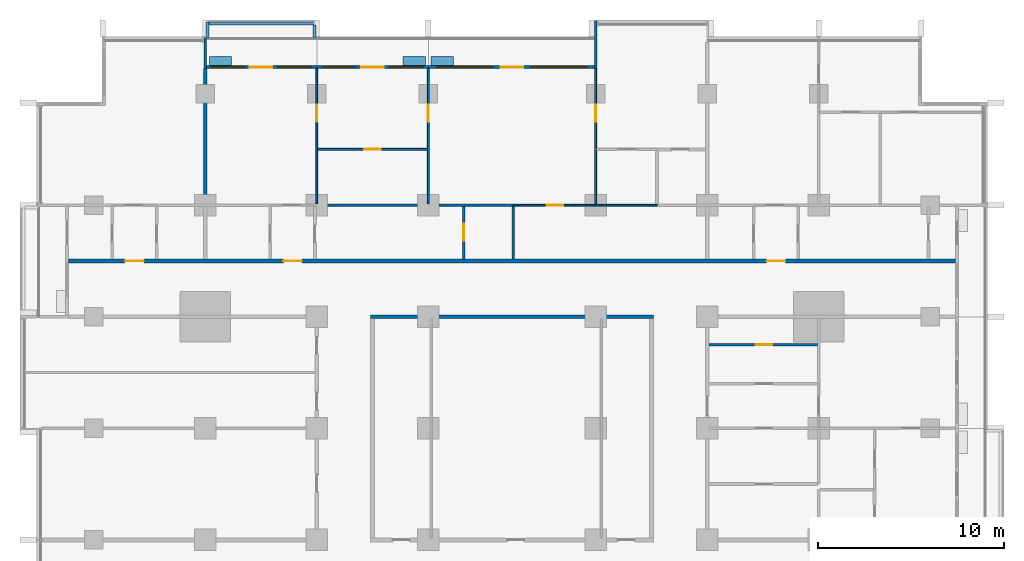
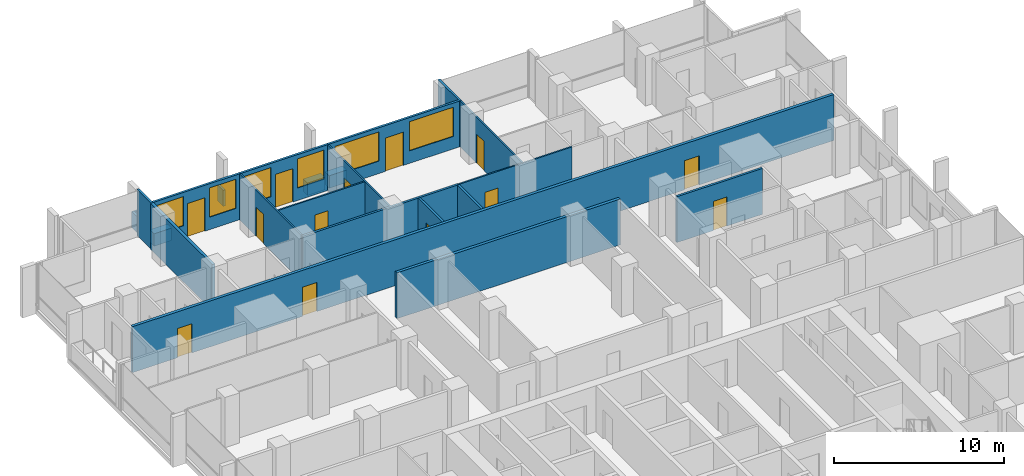
# One storey, part 11 of 17: 23 walls, 13 doors, 6 windows, 19 openings.
"""IFC4 building model written with IfcOpenShell, lengths in metres."""

from ifc_helpers import new_model, si_unit, direction, frame, frame_2d, origin, place, context, subcontext, project, spatial, rectangle, extrude, material, layer, layer_set, type_object, element, fill, save


model = new_model("IFC4")

# Units and contexts
model_context = context("Model", 3, precision=1e-05, world=origin(), true_north=direction((0.0, 1.0)))
body_context = subcontext(model_context, "Body", "Model", "MODEL_VIEW")
ifc_project = project(units=[si_unit("LENGTHUNIT", "METRE"), si_unit("AREAUNIT", "SQUARE_METRE"), si_unit("VOLUMEUNIT", "CUBIC_METRE"), si_unit("PLANEANGLEUNIT", "RADIAN"), si_unit("MASSUNIT", "GRAM", prefix="KILO")], contexts=[model_context])

# Site, building, storey
site_placement = place(None, origin())
site = spatial("IfcSite", under=ifc_project, at=site_placement, CompositionType="ELEMENT")
building_placement = place(site_placement, origin())
building = spatial("IfcBuilding", under=site, at=building_placement, Name="Finial Court Residences", CompositionType="ELEMENT")
storey_placement = place(building_placement, frame((0.0, 0.0, 95.5)))
storey = spatial("IfcBuildingStorey", under=building, at=storey_placement, Name="L23", CompositionType="ELEMENT", Elevation=95.5)

# Walls
ifc_material_1 = material(Name="Gypsum board")
ifc_layer_1 = layer(ifc_material_1, 0.02490234375)
ifc_material_2 = material(Name="Acoustic mineral wool in double frame")
ifc_layer_2 = layer(ifc_material_2, 0.14990234375)
ifc_layer_3 = layer(ifc_material_1, 0.02490234375)
ifc_layer_set_1 = layer_set([ifc_layer_1, ifc_layer_2, ifc_layer_3], Name="Acoustic party wall 200, 1 hour")
wall_type_1 = type_object("IfcWallType", Name="Acoustic party wall 200, 1 hour", PredefinedType="PARTITIONING", material=ifc_layer_set_1)
wall_1_placement = place(storey_placement, frame((-16.5, 13.574951171875, 0.0), z_axis=(0.0, 0.0, 1.0), x_axis=(0.0, 1.0, 0.0)))
element("IfcWall", 1, at=wall_1_placement, inside=storey, type_object=wall_type_1, Name="Partition L23-043", PredefinedType="PARTITIONING", context=body_context, shape_type="SweptSolid", body=[
    extrude(rectangle(XDim=7.275146484375, YDim=0.199951171875, at=frame_2d((3.6376953125, 0.0))), origin(), (0.0, 0.0, 1.0), 3.300048828125),
])
ifc_layer_4 = layer(ifc_material_1, 0.02490234375)
ifc_layer_5 = layer(ifc_material_2, 0.14990234375)
ifc_layer_6 = layer(ifc_material_1, 0.02490234375)
ifc_layer_set_2 = layer_set([ifc_layer_4, ifc_layer_5, ifc_layer_6], Name="Corridor wall 200, 1 hour")
wall_type_2 = type_object("IfcWallType", Name="Corridor wall 200, 1 hour", PredefinedType="PARTITIONING", material=ifc_layer_set_2)
wall_2_placement = place(storey_placement, frame((-7.60009765625, 7.5, 0.0), z_axis=(0.0, 0.0, 1.0), x_axis=(1.0, 0.0, 0.0)))
element("IfcWall", 2, at=wall_2_placement, inside=storey, type_object=wall_type_2, Name="Partition L23-022", PredefinedType="PARTITIONING", context=body_context, shape_type="SweptSolid", body=[
    extrude(rectangle(XDim=15.2001953125, YDim=0.199951171875, at=frame_2d((7.60009765625, 0.0))), origin(), (0.0, 0.0, 1.0), 3.300048828125),
])

# Wall, openings, doors
wall_3_placement = place(storey_placement, frame((-23.85009765625, 10.5, 0.0), z_axis=(0.0, 0.0, 1.0), x_axis=(1.0, 0.0, 0.0)))
wall_3 = element("IfcWall", 3, at=wall_3_placement, inside=storey, type_object=wall_type_2, Name="Partition L23-024", PredefinedType="PARTITIONING", context=body_context, shape_type="SweptSolid", body=[
    extrude(rectangle(XDim=47.7001953125, YDim=0.199951171875, at=frame_2d((23.85009765625, 0.0))), origin(), (0.0, 0.0, 1.0), 3.300048828125),
])
opening_1_placement = place(wall_3_placement, frame((3.050048828125, 0.0, 0.0)))
opening_1 = element("IfcOpeningElement", 4, at=opening_1_placement, cuts=wall_3, Name="Opening L23-D015", PredefinedType="OPENING", context=body_context, shape_type="SweptSolid", body=[
    extrude(rectangle(XDim=1.0, YDim=2.10009765625, at=frame_2d((0.5, 1.050048828125))), frame((0.0, 0.10986328125, 0.0), z_axis=(0.0, -1.0, 0.0), x_axis=(1.0, 0.0, 0.0)), (0.0, 0.0, 1.0), 0.219970703125),
])
opening_2_placement = place(wall_3_placement, frame((11.550048828125, 0.0, 0.0)))
opening_2 = element("IfcOpeningElement", 5, at=opening_2_placement, cuts=wall_3, Name="Opening L23-D016", PredefinedType="OPENING", context=body_context, shape_type="SweptSolid", body=[
    extrude(rectangle(XDim=1.0, YDim=2.10009765625, at=frame_2d((0.5, 1.050048828125))), frame((0.0, 0.10986328125, 0.0), z_axis=(0.0, -1.0, 0.0), x_axis=(1.0, 0.0, 0.0)), (0.0, 0.0, 1.0), 0.219970703125),
])
opening_3_placement = place(wall_3_placement, frame((37.550048828125, 0.0, 0.0)))
opening_3 = element("IfcOpeningElement", 6, at=opening_3_placement, cuts=wall_3, Name="Opening L23-D017", PredefinedType="OPENING", context=body_context, shape_type="SweptSolid", body=[
    extrude(rectangle(XDim=1.0, YDim=2.10009765625, at=frame_2d((0.5, 1.050048828125))), frame((0.0, 0.10986328125, 0.0), z_axis=(0.0, -1.0, 0.0), x_axis=(1.0, 0.0, 0.0)), (0.0, 0.0, 1.0), 0.219970703125),
])
ifc_material_3 = material(Name="Timber door leaf in hollow metal frame", Category="wood")
door_type_1 = type_object("IfcDoorType", Name="Fire door set 1000 x 2100, 30 minutes", OperationType="SINGLE_SWING_LEFT", PredefinedType="DOOR", material=ifc_material_3)
door_1_placement = place(opening_1_placement, origin())
door_1 = element("IfcDoor", 7, at=door_1_placement, inside=storey, type_object=door_type_1, Name="Door L23-D015", OperationType="SINGLE_SWING_RIGHT", OverallHeight=2.10009765625, OverallWidth=1.0, PredefinedType="DOOR", context=body_context, shape_type="SweptSolid", body=[
    extrude(rectangle(XDim=1.0, YDim=2.10009765625, at=frame_2d((0.5, 1.050048828125))), frame((0.0, 0.02490234375, 0.0), z_axis=(0.0, -1.0, 0.0), x_axis=(1.0, 0.0, 0.0)), (0.0, 0.0, 1.0), 0.050048828125),
])
fill(opening_1, door_1)
door_2_placement = place(opening_2_placement, origin())
door_2 = element("IfcDoor", 8, at=door_2_placement, inside=storey, type_object=door_type_1, Name="Door L23-D016", OperationType="SINGLE_SWING_RIGHT", OverallHeight=2.10009765625, OverallWidth=1.0, PredefinedType="DOOR", context=body_context, shape_type="SweptSolid", body=[
    extrude(rectangle(XDim=1.0, YDim=2.10009765625, at=frame_2d((0.5, 1.050048828125))), frame((0.0, 0.02490234375, 0.0), z_axis=(0.0, -1.0, 0.0), x_axis=(1.0, 0.0, 0.0)), (0.0, 0.0, 1.0), 0.050048828125),
])
fill(opening_2, door_2)
door_3_placement = place(opening_3_placement, origin())
door_3 = element("IfcDoor", 9, at=door_3_placement, inside=storey, type_object=door_type_1, Name="Door L23-D017", OperationType="SINGLE_SWING_LEFT", OverallHeight=2.10009765625, OverallWidth=1.0, PredefinedType="DOOR", context=body_context, shape_type="SweptSolid", body=[
    extrude(rectangle(XDim=1.0, YDim=2.10009765625, at=frame_2d((0.5, 1.050048828125))), frame((0.0, 0.02490234375, 0.0), z_axis=(0.0, -1.0, 0.0), x_axis=(1.0, 0.0, 0.0)), (0.0, 0.0, 1.0), 0.050048828125),
])
fill(opening_3, door_3)

# Wall, opening, door
ifc_layer_7 = layer(ifc_material_1, 0.012451171875)
ifc_material_4 = material(Name="Mineral wool in light-gauge frame")
ifc_layer_8 = layer(ifc_material_4, 0.074951171875)
ifc_layer_9 = layer(ifc_material_1, 0.012451171875)
ifc_layer_set_3 = layer_set([ifc_layer_7, ifc_layer_8, ifc_layer_9], Name="Gypsum board partition 100")
wall_type_3 = type_object("IfcWallType", Name="Gypsum board partition 100", PredefinedType="PARTITIONING", material=ifc_layer_set_3)
wall_4_placement = place(storey_placement, frame((0.06689453125, 13.5, 0.0), z_axis=(0.0, 0.0, 1.0), x_axis=(1.0, 0.0, 0.0)))
wall_4 = element("IfcWall", 10, at=wall_4_placement, inside=storey, type_object=wall_type_3, Name="Partition L23-027", PredefinedType="PARTITIONING", context=body_context, shape_type="SweptSolid", body=[
    extrude(rectangle(XDim=7.733154296875, YDim=0.10009765625, at=frame_2d((3.86669921875, 0.0))), origin(), (0.0, 0.0, 1.0), 3.300048828125),
])
opening_4_placement = place(wall_4_placement, frame((1.800048828125, 0.0, 0.0)))
opening_4 = element("IfcOpeningElement", 11, at=opening_4_placement, cuts=wall_4, Name="Opening L23-D020", PredefinedType="OPENING", context=body_context, shape_type="SweptSolid", body=[
    extrude(rectangle(XDim=0.89990234375, YDim=2.10009765625, at=frame_2d((0.449951171875, 1.050048828125))), frame((0.0, 0.06005859375, 0.0), z_axis=(0.0, -1.0, 0.0), x_axis=(1.0, 0.0, 0.0)), (0.0, 0.0, 1.0), 0.1201171875),
])
ifc_material_5 = material(Name="Timber door leaf in timber frame", Category="wood")
door_type_2 = type_object("IfcDoorType", Name="Door set 900 x 2100", OperationType="SINGLE_SWING_LEFT", PredefinedType="DOOR", material=ifc_material_5)
door_4_placement = place(opening_4_placement, origin())
door_4 = element("IfcDoor", 12, at=door_4_placement, inside=storey, type_object=door_type_2, Name="Door L23-D020", OperationType="SINGLE_SWING_LEFT", OverallHeight=2.10009765625, OverallWidth=0.89990234375, PredefinedType="DOOR", context=body_context, shape_type="SweptSolid", body=[
    extrude(rectangle(XDim=0.89990234375, YDim=2.10009765625, at=frame_2d((0.449951171875, 1.050048828125))), frame((0.0, 0.02490234375, 0.0), z_axis=(0.0, -1.0, 0.0), x_axis=(1.0, 0.0, 0.0)), (0.0, 0.0, 1.0), 0.050048828125),
])
fill(opening_4, door_4)

wall_5_placement = place(storey_placement, frame((-10.449951171875, 16.5, 0.0), z_axis=(0.0, 0.0, 1.0), x_axis=(1.0, 0.0, 0.0)))
wall_5 = element("IfcWall", 13, at=wall_5_placement, inside=storey, type_object=wall_type_3, Name="Partition L23-034", PredefinedType="PARTITIONING", context=body_context, shape_type="SweptSolid", body=[
    extrude(rectangle(XDim=5.89990234375, YDim=0.10009765625, at=frame_2d((2.949951171875, 0.0))), origin(), (0.0, 0.0, 1.0), 3.300048828125),
])
opening_5_placement = place(wall_5_placement, frame((2.5, 0.0, 0.0)))
opening_5 = element("IfcOpeningElement", 14, at=opening_5_placement, cuts=wall_5, Name="Opening L23-D022", PredefinedType="OPENING", context=body_context, shape_type="SweptSolid", body=[
    extrude(rectangle(XDim=0.89990234375, YDim=2.10009765625, at=frame_2d((0.449951171875, 1.050048828125))), frame((0.0, 0.06005859375, 0.0), z_axis=(0.0, -1.0, 0.0), x_axis=(1.0, 0.0, 0.0)), (0.0, 0.0, 1.0), 0.1201171875),
])
door_5_placement = place(opening_5_placement, origin())
door_5 = element("IfcDoor", 15, at=door_5_placement, inside=storey, type_object=door_type_2, Name="Door L23-D022", OperationType="SINGLE_SWING_RIGHT", OverallHeight=2.10009765625, OverallWidth=0.89990234375, PredefinedType="DOOR", context=body_context, shape_type="SweptSolid", body=[
    extrude(rectangle(XDim=0.89990234375, YDim=2.10009765625, at=frame_2d((0.449951171875, 1.050048828125))), frame((0.0, 0.02490234375, 0.0), z_axis=(0.0, -1.0, 0.0), x_axis=(1.0, 0.0, 0.0)), (0.0, 0.0, 1.0), 0.050048828125),
])
fill(opening_5, door_5)

wall_6_placement = place(storey_placement, frame((-10.5, 13.574951171875, 0.0), z_axis=(0.0, 0.0, 1.0), x_axis=(0.0, 1.0, 0.0)))
wall_6 = element("IfcWall", 16, at=wall_6_placement, inside=storey, type_object=wall_type_3, Name="Partition L23-049", PredefinedType="PARTITIONING", context=body_context, shape_type="SweptSolid", body=[
    extrude(rectangle(XDim=7.275146484375, YDim=0.10009765625, at=frame_2d((3.6376953125, 0.0))), origin(), (0.0, 0.0, 1.0), 3.300048828125),
])
opening_6_placement = place(wall_6_placement, frame((4.425048828125, 0.0, 0.0)))
opening_6 = element("IfcOpeningElement", 17, at=opening_6_placement, cuts=wall_6, Name="Opening L23-D036", PredefinedType="OPENING", context=body_context, shape_type="SweptSolid", body=[
    extrude(rectangle(XDim=0.89990234375, YDim=2.10009765625, at=frame_2d((0.449951171875, 1.050048828125))), frame((0.0, 0.06005859375, 0.0), z_axis=(0.0, -1.0, 0.0), x_axis=(1.0, 0.0, 0.0)), (0.0, 0.0, 1.0), 0.1201171875),
])
door_6_placement = place(opening_6_placement, origin())
door_6 = element("IfcDoor", 18, at=door_6_placement, inside=storey, type_object=door_type_2, Name="Door L23-D036", OperationType="SINGLE_SWING_RIGHT", OverallHeight=2.10009765625, OverallWidth=0.89990234375, PredefinedType="DOOR", context=body_context, shape_type="SweptSolid", body=[
    extrude(rectangle(XDim=0.89990234375, YDim=2.10009765625, at=frame_2d((0.449951171875, 1.050048828125))), frame((0.0, 0.02490234375, 0.0), z_axis=(0.0, -1.0, 0.0), x_axis=(1.0, 0.0, 0.0)), (0.0, 0.0, 1.0), 0.050048828125),
])
fill(opening_6, door_6)

wall_7_placement = place(storey_placement, frame((-4.5, 13.574951171875, 0.0), z_axis=(0.0, 0.0, 1.0), x_axis=(0.0, 1.0, 0.0)))
wall_7 = element("IfcWall", 19, at=wall_7_placement, inside=storey, type_object=wall_type_3, Name="Partition L23-051", PredefinedType="PARTITIONING", context=body_context, shape_type="SweptSolid", body=[
    extrude(rectangle(XDim=7.275146484375, YDim=0.10009765625, at=frame_2d((3.6376953125, 0.0))), origin(), (0.0, 0.0, 1.0), 3.300048828125),
])
opening_7_placement = place(wall_7_placement, frame((4.425048828125, 0.0, 0.0)))
opening_7 = element("IfcOpeningElement", 20, at=opening_7_placement, cuts=wall_7, Name="Opening L23-D037", PredefinedType="OPENING", context=body_context, shape_type="SweptSolid", body=[
    extrude(rectangle(XDim=0.89990234375, YDim=2.10009765625, at=frame_2d((0.449951171875, 1.050048828125))), frame((0.0, 0.06005859375, 0.0), z_axis=(0.0, -1.0, 0.0), x_axis=(1.0, 0.0, 0.0)), (0.0, 0.0, 1.0), 0.1201171875),
])
door_7_placement = place(opening_7_placement, origin())
door_7 = element("IfcDoor", 21, at=door_7_placement, inside=storey, type_object=door_type_2, Name="Door L23-D037", OperationType="SINGLE_SWING_RIGHT", OverallHeight=2.10009765625, OverallWidth=0.89990234375, PredefinedType="DOOR", context=body_context, shape_type="SweptSolid", body=[
    extrude(rectangle(XDim=0.89990234375, YDim=2.10009765625, at=frame_2d((0.449951171875, 1.050048828125))), frame((0.0, 0.02490234375, 0.0), z_axis=(0.0, -1.0, 0.0), x_axis=(1.0, 0.0, 0.0)), (0.0, 0.0, 1.0), 0.050048828125),
])
fill(opening_7, door_7)

wall_8_placement = place(storey_placement, frame((4.5, 13.550048828125, 0.0), z_axis=(0.0, 0.0, 1.0), x_axis=(0.0, 1.0, 0.0)))
wall_8 = element("IfcWall", 22, at=wall_8_placement, inside=storey, type_object=wall_type_3, Name="Partition L23-055", PredefinedType="PARTITIONING", context=body_context, shape_type="SweptSolid", body=[
    extrude(rectangle(XDim=7.300048828125, YDim=0.10009765625, at=frame_2d((3.64990234375, 0.0))), origin(), (0.0, 0.0, 1.0), 3.300048828125),
])
opening_8_placement = place(wall_8_placement, frame((4.449951171875, 0.0, 0.0)))
opening_8 = element("IfcOpeningElement", 23, at=opening_8_placement, cuts=wall_8, Name="Opening L23-D039", PredefinedType="OPENING", context=body_context, shape_type="SweptSolid", body=[
    extrude(rectangle(XDim=0.89990234375, YDim=2.10009765625, at=frame_2d((0.449951171875, 1.050048828125))), frame((0.0, 0.06005859375, 0.0), z_axis=(0.0, -1.0, 0.0), x_axis=(1.0, 0.0, 0.0)), (0.0, 0.0, 1.0), 0.1201171875),
])
door_8_placement = place(opening_8_placement, origin())
door_8 = element("IfcDoor", 24, at=door_8_placement, inside=storey, type_object=door_type_2, Name="Door L23-D039", OperationType="SINGLE_SWING_RIGHT", OverallHeight=2.10009765625, OverallWidth=0.89990234375, PredefinedType="DOOR", context=body_context, shape_type="SweptSolid", body=[
    extrude(rectangle(XDim=0.89990234375, YDim=2.10009765625, at=frame_2d((0.449951171875, 1.050048828125))), frame((0.0, 0.02490234375, 0.0), z_axis=(0.0, -1.0, 0.0), x_axis=(1.0, 0.0, 0.0)), (0.0, 0.0, 1.0), 0.050048828125),
])
fill(opening_8, door_8)

ifc_material_6 = material(Name="Moisture-resistant gypsum board")
ifc_layer_10 = layer(ifc_material_6, 0.012451171875)
ifc_layer_11 = layer(ifc_material_4, 0.125)
ifc_layer_12 = layer(ifc_material_6, 0.012451171875)
ifc_layer_set_4 = layer_set([ifc_layer_10, ifc_layer_11, ifc_layer_12], Name="Gypsum board wet-area partition 150")
wall_type_4 = type_object("IfcWallType", Name="Gypsum board wet-area partition 150", PredefinedType="PARTITIONING", material=ifc_layer_set_4)
wall_9_placement = place(storey_placement, frame((10.60009765625, 6.0, 0.0), z_axis=(0.0, 0.0, 1.0), x_axis=(1.0, 0.0, 0.0)))
wall_9 = element("IfcWall", 25, at=wall_9_placement, inside=storey, type_object=wall_type_4, Name="Partition L23-020", PredefinedType="PARTITIONING", context=body_context, shape_type="SweptSolid", body=[
    extrude(rectangle(XDim=5.824951171875, YDim=0.14990234375, at=frame_2d((2.91259765625, 0.0))), origin(), (0.0, 0.0, 1.0), 3.300048828125),
])
opening_9_placement = place(wall_9_placement, frame((2.5, 0.0, 0.0)))
opening_9 = element("IfcOpeningElement", 26, at=opening_9_placement, cuts=wall_9, Name="Opening L23-D014", PredefinedType="OPENING", context=body_context, shape_type="SweptSolid", body=[
    extrude(rectangle(XDim=0.89990234375, YDim=2.10009765625, at=frame_2d((0.449951171875, 1.050048828125))), frame((0.0, 0.0849609375, 0.0), z_axis=(0.0, -1.0, 0.0), x_axis=(1.0, 0.0, 0.0)), (0.0, 0.0, 1.0), 0.169921875),
])
door_9_placement = place(opening_9_placement, origin())
door_9 = element("IfcDoor", 27, at=door_9_placement, inside=storey, type_object=door_type_2, Name="Door L23-D014", OperationType="SINGLE_SWING_LEFT", OverallHeight=2.10009765625, OverallWidth=0.89990234375, PredefinedType="DOOR", context=body_context, shape_type="SweptSolid", body=[
    extrude(rectangle(XDim=0.89990234375, YDim=2.10009765625, at=frame_2d((0.449951171875, 1.050048828125))), frame((0.0, 0.02490234375, 0.0), z_axis=(0.0, -1.0, 0.0), x_axis=(1.0, 0.0, 0.0)), (0.0, 0.0, 1.0), 0.050048828125),
])
fill(opening_9, door_9)

# Wall
wall_10_placement = place(storey_placement, frame((-10.5, 13.5, 0.0), z_axis=(0.0, 0.0, 1.0), x_axis=(1.0, 0.0, 0.0)))
element("IfcWall", 28, at=wall_10_placement, inside=storey, type_object=wall_type_4, Name="Partition L23-031", PredefinedType="PARTITIONING", context=body_context, shape_type="SweptSolid", body=[
    extrude(rectangle(XDim=10.56689453125, YDim=0.14990234375, at=frame_2d((5.283447265625, 0.0))), origin(), (0.0, 0.0, 1.0), 3.300048828125),
])

# Wall, opening, door
wall_11_placement = place(storey_placement, frame((-2.60009765625, 10.60009765625, 0.0), z_axis=(0.0, 0.0, 1.0), x_axis=(0.0, 1.0, 0.0)))
wall_11 = element("IfcWall", 29, at=wall_11_placement, inside=storey, type_object=wall_type_4, Name="Partition L23-053", PredefinedType="PARTITIONING", context=body_context, shape_type="SweptSolid", body=[
    extrude(rectangle(XDim=2.824951171875, YDim=0.14990234375, at=frame_2d((1.41259765625, 0.0))), origin(), (0.0, 0.0, 1.0), 3.300048828125),
])
opening_10_placement = place(wall_11_placement, frame((1.0, 0.0, 0.0)))
opening_10 = element("IfcOpeningElement", 30, at=opening_10_placement, cuts=wall_11, Name="Opening L23-D038", PredefinedType="OPENING", context=body_context, shape_type="SweptSolid", body=[
    extrude(rectangle(XDim=0.89990234375, YDim=2.10009765625, at=frame_2d((0.449951171875, 1.050048828125))), frame((0.0, 0.0849609375, 0.0), z_axis=(0.0, -1.0, 0.0), x_axis=(1.0, 0.0, 0.0)), (0.0, 0.0, 1.0), 0.169921875),
])
door_10_placement = place(opening_10_placement, origin())
door_10 = element("IfcDoor", 31, at=door_10_placement, inside=storey, type_object=door_type_2, Name="Door L23-D038", OperationType="SINGLE_SWING_LEFT", OverallHeight=2.10009765625, OverallWidth=0.89990234375, PredefinedType="DOOR", context=body_context, shape_type="SweptSolid", body=[
    extrude(rectangle(XDim=0.89990234375, YDim=2.10009765625, at=frame_2d((0.449951171875, 1.050048828125))), frame((0.0, 0.02490234375, 0.0), z_axis=(0.0, -1.0, 0.0), x_axis=(1.0, 0.0, 0.0)), (0.0, 0.0, 1.0), 0.050048828125),
])
fill(opening_10, door_10)

# Walls
wall_12_placement = place(storey_placement, frame((0.06689453125, 10.60009765625, 0.0), z_axis=(0.0, 0.0, 1.0), x_axis=(0.0, 1.0, 0.0)))
element("IfcWall", 32, at=wall_12_placement, inside=storey, type_object=wall_type_4, Name="Partition L23-054", PredefinedType="PARTITIONING", context=body_context, shape_type="SweptSolid", body=[
    extrude(rectangle(XDim=2.824951171875, YDim=0.14990234375, at=frame_2d((1.41259765625, 0.0))), origin(), (0.0, 0.0, 1.0), 3.300048828125),
])
ifc_material_7 = material(Name="Concrete C35/45", Category="concrete")
ifc_layer_13 = layer(ifc_material_7, 0.14990234375)
ifc_layer_set_5 = layer_set([ifc_layer_13], Name="Ledge parapet, Concrete C35/45 150")
wall_type_5 = type_object("IfcWallType", Name="Ledge parapet, Concrete C35/45 150", PredefinedType="PARAPET", material=ifc_layer_set_5)
wall_13_placement = place(storey_placement, frame((-16.375, 22.510009765625, 0.0), z_axis=(0.0, 0.0, 1.0), x_axis=(0.0, 1.0, 0.0)))
element("IfcWall", 33, at=wall_13_placement, inside=storey, type_object=wall_type_5, Name="E-L23-LED2-P1", PredefinedType="PARAPET", context=body_context, shape_type="SweptSolid", body=[
    extrude(rectangle(XDim=0.840087890625, YDim=0.14990234375, at=frame_2d((0.419921875, 0.0))), origin(), (0.0, 0.0, 1.0), 1.14990234375),
])
wall_14_placement = place(storey_placement, frame((-16.300048828125, 23.27490234375, 0.0), z_axis=(0.0, 0.0, 1.0), x_axis=(1.0, 0.0, 0.0)))
element("IfcWall", 34, at=wall_14_placement, inside=storey, type_object=wall_type_5, Name="E-L23-LED2-P2", PredefinedType="PARAPET", context=body_context, shape_type="SweptSolid", body=[
    extrude(rectangle(XDim=5.75, YDim=0.14990234375, at=frame_2d((2.875, 0.0))), origin(), (0.0, 0.0, 1.0), 1.14990234375),
])
wall_15_placement = place(storey_placement, frame((-10.625, 23.199951171875, 0.0), z_axis=(0.0, 0.0, 1.0), x_axis=(0.0, -1.0, 0.0)))
element("IfcWall", 35, at=wall_15_placement, inside=storey, type_object=wall_type_5, Name="E-L23-LED2-P3", PredefinedType="PARAPET", context=body_context, shape_type="SweptSolid", body=[
    extrude(rectangle(XDim=0.68994140625, YDim=0.14990234375, at=frame_2d((0.344970703125, 0.0))), origin(), (0.0, 0.0, 1.0), 1.14990234375),
])
ifc_material_8 = material(Name="Natural limestone", Category="masonry")
ifc_layer_14 = layer(ifc_material_8, 0.14990234375)
ifc_layer_set_6 = layer_set([ifc_layer_14], Name="Limestone clad wall 150")
wall_type_6 = type_object("IfcWallType", Name="Limestone clad wall 150", PredefinedType="SOLIDWALL", material=ifc_layer_set_6)
wall_16_placement = place(storey_placement, frame((-16.5, 20.85009765625, 0.0), z_axis=(0.0, 0.0, 1.0), x_axis=(0.0, 1.0, 0.0)))
element("IfcWall", 36, at=wall_16_placement, inside=storey, type_object=wall_type_6, Name="E-L23-BALN2-P1", PredefinedType="SOLIDWALL", context=body_context, shape_type="SweptSolid", body=[
    extrude(rectangle(XDim=1.64990234375, YDim=0.14990234375, at=frame_2d((0.824951171875, 0.0))), origin(), (0.0, 0.0, 1.0), 3.300048828125),
])

# Wall, openings, door, windows
wall_17_placement = place(storey_placement, frame((-16.425048828125, 20.925048828125, 0.0), z_axis=(0.0, 0.0, 1.0), x_axis=(1.0, 0.0, 0.0)))
wall_17 = element("IfcWall", 37, at=wall_17_placement, inside=storey, type_object=wall_type_6, Name="E-L23-L23-BALN2-W", PredefinedType="SOLIDWALL", context=body_context, shape_type="SweptSolid", body=[
    extrude(rectangle(XDim=5.925048828125, YDim=0.14990234375, at=frame_2d((2.96240234375, 0.0))), origin(), (0.0, 0.0, 1.0), 3.300048828125),
])
opening_11_placement = place(wall_17_placement, frame((2.324951171875, 0.0, 0.0)))
opening_11 = element("IfcOpeningElement", 38, at=opening_11_placement, cuts=wall_17, Name="Opening DE23-01", PredefinedType="OPENING", context=body_context, shape_type="SweptSolid", body=[
    extrude(rectangle(XDim=1.199951171875, YDim=2.39990234375, at=frame_2d((0.60009765625, 1.199951171875))), frame((0.0, 0.0849609375, 0.0), z_axis=(0.0, -1.0, 0.0), x_axis=(1.0, 0.0, 0.0)), (0.0, 0.0, 1.0), 0.169921875),
])
opening_12_placement = place(wall_17_placement, frame((0.262451171875, 0.0, 0.89990234375)))
opening_12 = element("IfcOpeningElement", 39, at=opening_12_placement, cuts=wall_17, Name="Opening WE23-09", PredefinedType="OPENING", context=body_context, shape_type="SweptSolid", body=[
    extrude(rectangle(XDim=1.800048828125, YDim=2.10009765625, at=frame_2d((0.89990234375, 1.050048828125))), frame((0.0, 0.0849609375, 0.0), z_axis=(0.0, -1.0, 0.0), x_axis=(1.0, 0.0, 0.0)), (0.0, 0.0, 1.0), 0.169921875),
])
opening_13_placement = place(wall_17_placement, frame((3.824951171875, 0.0, 0.89990234375)))
opening_13 = element("IfcOpeningElement", 40, at=opening_13_placement, cuts=wall_17, Name="Opening WE23-10", PredefinedType="OPENING", context=body_context, shape_type="SweptSolid", body=[
    extrude(rectangle(XDim=1.800048828125, YDim=2.10009765625, at=frame_2d((0.89990234375, 1.050048828125))), frame((0.0, 0.0849609375, 0.0), z_axis=(0.0, -1.0, 0.0), x_axis=(1.0, 0.0, 0.0)), (0.0, 0.0, 1.0), 0.169921875),
])
ifc_material_9 = material(Name="Bronze anodised aluminium", Category="aluminium")
door_type_3 = type_object("IfcDoorType", Name="Balcony door 1200 x 2400", OperationType="SINGLE_SWING_LEFT", PredefinedType="DOOR", material=ifc_material_9)
door_11_placement = place(opening_11_placement, origin())
door_11 = element("IfcDoor", 41, at=door_11_placement, inside=storey, type_object=door_type_3, Name="E-L23-L23-BALN2-W-D", OperationType="SINGLE_SWING_LEFT", OverallHeight=2.39990234375, OverallWidth=1.199951171875, PredefinedType="DOOR", context=body_context, shape_type="SweptSolid", body=[
    extrude(rectangle(XDim=1.199951171875, YDim=2.39990234375, at=frame_2d((0.60009765625, 1.199951171875))), frame((0.0, 0.02490234375, 0.0), z_axis=(0.0, -1.0, 0.0), x_axis=(1.0, 0.0, 0.0)), (0.0, 0.0, 1.0), 0.050048828125),
])
fill(opening_11, door_11)
ifc_material_10 = material(Name="Clear low-e glass", Category="glass")
window_type_1 = type_object("IfcWindowType", Name="Balcony window 1800 x 2100", PartitioningType="SINGLE_PANEL", PredefinedType="WINDOW", material=ifc_material_10)
window_1_placement = place(opening_12_placement, origin())
window_1 = element("IfcWindow", 42, at=window_1_placement, inside=storey, type_object=window_type_1, Name="E-L23-L23-BALN2-W-W1", OverallHeight=2.10009765625, OverallWidth=1.800048828125, PartitioningType="SINGLE_PANEL", PredefinedType="WINDOW", context=body_context, shape_type="SweptSolid", body=[
    extrude(rectangle(XDim=1.800048828125, YDim=2.10009765625, at=frame_2d((0.89990234375, 1.050048828125))), frame((0.0, 0.030029296875, 0.0), z_axis=(0.0, -1.0, 0.0), x_axis=(1.0, 0.0, 0.0)), (0.0, 0.0, 1.0), 0.06005859375),
])
fill(opening_12, window_1)
window_2_placement = place(opening_13_placement, origin())
window_2 = element("IfcWindow", 43, at=window_2_placement, inside=storey, type_object=window_type_1, Name="E-L23-L23-BALN2-W-W2", OverallHeight=2.10009765625, OverallWidth=1.800048828125, PartitioningType="SINGLE_PANEL", PredefinedType="WINDOW", context=body_context, shape_type="SweptSolid", body=[
    extrude(rectangle(XDim=1.800048828125, YDim=2.10009765625, at=frame_2d((0.89990234375, 1.050048828125))), frame((0.0, 0.030029296875, 0.0), z_axis=(0.0, -1.0, 0.0), x_axis=(1.0, 0.0, 0.0)), (0.0, 0.0, 1.0), 0.06005859375),
])
fill(opening_13, window_2)

wall_18_placement = place(storey_placement, frame((-10.5, 20.925048828125, 0.0), z_axis=(0.0, 0.0, 1.0), x_axis=(1.0, 0.0, 0.0)))
wall_18 = element("IfcWall", 44, at=wall_18_placement, inside=storey, type_object=wall_type_6, Name="E-L23-L23-BALN3-W", PredefinedType="SOLIDWALL", context=body_context, shape_type="SweptSolid", body=[
    extrude(rectangle(XDim=6.0, YDim=0.14990234375, at=frame_2d((3.0, 0.0))), origin(), (0.0, 0.0, 1.0), 3.300048828125),
])
opening_14_placement = place(wall_18_placement, frame((2.39990234375, 0.0, 0.0)))
opening_14 = element("IfcOpeningElement", 45, at=opening_14_placement, cuts=wall_18, Name="Opening DE23-02", PredefinedType="OPENING", context=body_context, shape_type="SweptSolid", body=[
    extrude(rectangle(XDim=1.199951171875, YDim=2.39990234375, at=frame_2d((0.60009765625, 1.199951171875))), frame((0.0, 0.0849609375, 0.0), z_axis=(0.0, -1.0, 0.0), x_axis=(1.0, 0.0, 0.0)), (0.0, 0.0, 1.0), 0.169921875),
])
opening_15_placement = place(wall_18_placement, frame((0.300048828125, 0.0, 0.89990234375)))
opening_15 = element("IfcOpeningElement", 46, at=opening_15_placement, cuts=wall_18, Name="Opening WE23-11", PredefinedType="OPENING", context=body_context, shape_type="SweptSolid", body=[
    extrude(rectangle(XDim=1.800048828125, YDim=2.10009765625, at=frame_2d((0.89990234375, 1.050048828125))), frame((0.0, 0.0849609375, 0.0), z_axis=(0.0, -1.0, 0.0), x_axis=(1.0, 0.0, 0.0)), (0.0, 0.0, 1.0), 0.169921875),
])
opening_16_placement = place(wall_18_placement, frame((3.89990234375, 0.0, 0.89990234375)))
opening_16 = element("IfcOpeningElement", 47, at=opening_16_placement, cuts=wall_18, Name="Opening WE23-12", PredefinedType="OPENING", context=body_context, shape_type="SweptSolid", body=[
    extrude(rectangle(XDim=1.800048828125, YDim=2.10009765625, at=frame_2d((0.89990234375, 1.050048828125))), frame((0.0, 0.0849609375, 0.0), z_axis=(0.0, -1.0, 0.0), x_axis=(1.0, 0.0, 0.0)), (0.0, 0.0, 1.0), 0.169921875),
])
door_12_placement = place(opening_14_placement, origin())
door_12 = element("IfcDoor", 48, at=door_12_placement, inside=storey, type_object=door_type_3, Name="E-L23-L23-BALN3-W-D", OperationType="SINGLE_SWING_RIGHT", OverallHeight=2.39990234375, OverallWidth=1.199951171875, PredefinedType="DOOR", context=body_context, shape_type="SweptSolid", body=[
    extrude(rectangle(XDim=1.199951171875, YDim=2.39990234375, at=frame_2d((0.60009765625, 1.199951171875))), frame((0.0, 0.02490234375, 0.0), z_axis=(0.0, -1.0, 0.0), x_axis=(1.0, 0.0, 0.0)), (0.0, 0.0, 1.0), 0.050048828125),
])
fill(opening_14, door_12)
window_3_placement = place(opening_15_placement, origin())
window_3 = element("IfcWindow", 49, at=window_3_placement, inside=storey, type_object=window_type_1, Name="E-L23-L23-BALN3-W-W1", OverallHeight=2.10009765625, OverallWidth=1.800048828125, PartitioningType="SINGLE_PANEL", PredefinedType="WINDOW", context=body_context, shape_type="SweptSolid", body=[
    extrude(rectangle(XDim=1.800048828125, YDim=2.10009765625, at=frame_2d((0.89990234375, 1.050048828125))), frame((0.0, 0.030029296875, 0.0), z_axis=(0.0, -1.0, 0.0), x_axis=(1.0, 0.0, 0.0)), (0.0, 0.0, 1.0), 0.06005859375),
])
fill(opening_15, window_3)
window_4_placement = place(opening_16_placement, origin())
window_4 = element("IfcWindow", 50, at=window_4_placement, inside=storey, type_object=window_type_1, Name="E-L23-L23-BALN3-W-W2", OverallHeight=2.10009765625, OverallWidth=1.800048828125, PartitioningType="SINGLE_PANEL", PredefinedType="WINDOW", context=body_context, shape_type="SweptSolid", body=[
    extrude(rectangle(XDim=1.800048828125, YDim=2.10009765625, at=frame_2d((0.89990234375, 1.050048828125))), frame((0.0, 0.030029296875, 0.0), z_axis=(0.0, -1.0, 0.0), x_axis=(1.0, 0.0, 0.0)), (0.0, 0.0, 1.0), 0.06005859375),
])
fill(opening_16, window_4)

# Wall
wall_19_placement = place(storey_placement, frame((4.5, 20.85009765625, 0.0), z_axis=(0.0, 0.0, 1.0), x_axis=(0.0, 1.0, 0.0)))
element("IfcWall", 51, at=wall_19_placement, inside=storey, type_object=wall_type_6, Name="E-L23-BALN4-P2", PredefinedType="SOLIDWALL", context=body_context, shape_type="SweptSolid", body=[
    extrude(rectangle(XDim=2.5498046875, YDim=0.14990234375, at=frame_2d((1.27490234375, 0.0))), origin(), (0.0, 0.0, 1.0), 3.300048828125),
])

# Wall, openings, door, windows
wall_20_placement = place(storey_placement, frame((-4.5, 20.925048828125, 0.0), z_axis=(0.0, 0.0, 1.0), x_axis=(1.0, 0.0, 0.0)))
wall_20 = element("IfcWall", 52, at=wall_20_placement, inside=storey, type_object=wall_type_6, Name="E-L23-L23-BALN4-W", PredefinedType="SOLIDWALL", context=body_context, shape_type="SweptSolid", body=[
    extrude(rectangle(XDim=8.925048828125, YDim=0.14990234375, at=frame_2d((4.46240234375, 0.0))), origin(), (0.0, 0.0, 1.0), 3.300048828125),
])
opening_17_placement = place(wall_20_placement, frame((3.89990234375, 0.0, 0.0)))
opening_17 = element("IfcOpeningElement", 53, at=opening_17_placement, cuts=wall_20, Name="Opening DE23-03", PredefinedType="OPENING", context=body_context, shape_type="SweptSolid", body=[
    extrude(rectangle(XDim=1.199951171875, YDim=2.39990234375, at=frame_2d((0.60009765625, 1.199951171875))), frame((0.0, 0.0849609375, 0.0), z_axis=(0.0, -1.0, 0.0), x_axis=(1.0, 0.0, 0.0)), (0.0, 0.0, 1.0), 0.169921875),
])
opening_18_placement = place(wall_20_placement, frame((0.449951171875, 0.0, 0.89990234375)))
opening_18 = element("IfcOpeningElement", 54, at=opening_18_placement, cuts=wall_20, Name="Opening WE23-13", PredefinedType="OPENING", context=body_context, shape_type="SweptSolid", body=[
    extrude(rectangle(XDim=3.0, YDim=2.10009765625, at=frame_2d((1.5, 1.050048828125))), frame((0.0, 0.0849609375, 0.0), z_axis=(0.0, -1.0, 0.0), x_axis=(1.0, 0.0, 0.0)), (0.0, 0.0, 1.0), 0.169921875),
])
opening_19_placement = place(wall_20_placement, frame((5.512451171875, 0.0, 0.89990234375)))
opening_19 = element("IfcOpeningElement", 55, at=opening_19_placement, cuts=wall_20, Name="Opening WE23-14", PredefinedType="OPENING", context=body_context, shape_type="SweptSolid", body=[
    extrude(rectangle(XDim=3.0, YDim=2.10009765625, at=frame_2d((1.5, 1.050048828125))), frame((0.0, 0.0849609375, 0.0), z_axis=(0.0, -1.0, 0.0), x_axis=(1.0, 0.0, 0.0)), (0.0, 0.0, 1.0), 0.169921875),
])
door_13_placement = place(opening_17_placement, origin())
door_13 = element("IfcDoor", 56, at=door_13_placement, inside=storey, type_object=door_type_3, Name="E-L23-L23-BALN4-W-D", OperationType="SINGLE_SWING_LEFT", OverallHeight=2.39990234375, OverallWidth=1.199951171875, PredefinedType="DOOR", context=body_context, shape_type="SweptSolid", body=[
    extrude(rectangle(XDim=1.199951171875, YDim=2.39990234375, at=frame_2d((0.60009765625, 1.199951171875))), frame((0.0, 0.02490234375, 0.0), z_axis=(0.0, -1.0, 0.0), x_axis=(1.0, 0.0, 0.0)), (0.0, 0.0, 1.0), 0.050048828125),
])
fill(opening_17, door_13)
window_type_2 = type_object("IfcWindowType", Name="Balcony window 3000 x 2100", PartitioningType="SINGLE_PANEL", PredefinedType="WINDOW", material=ifc_material_10)
window_5_placement = place(opening_18_placement, origin())
window_5 = element("IfcWindow", 57, at=window_5_placement, inside=storey, type_object=window_type_2, Name="E-L23-L23-BALN4-W-W1", OverallHeight=2.10009765625, OverallWidth=3.0, PartitioningType="SINGLE_PANEL", PredefinedType="WINDOW", context=body_context, shape_type="SweptSolid", body=[
    extrude(rectangle(XDim=3.0, YDim=2.10009765625, at=frame_2d((1.5, 1.050048828125))), frame((0.0, 0.030029296875, 0.0), z_axis=(0.0, -1.0, 0.0), x_axis=(1.0, 0.0, 0.0)), (0.0, 0.0, 1.0), 0.06005859375),
])
fill(opening_18, window_5)
window_6_placement = place(opening_19_placement, origin())
window_6 = element("IfcWindow", 58, at=window_6_placement, inside=storey, type_object=window_type_2, Name="E-L23-L23-BALN4-W-W2", OverallHeight=2.10009765625, OverallWidth=3.0, PartitioningType="SINGLE_PANEL", PredefinedType="WINDOW", context=body_context, shape_type="SweptSolid", body=[
    extrude(rectangle(XDim=3.0, YDim=2.10009765625, at=frame_2d((1.5, 1.050048828125))), frame((0.0, 0.030029296875, 0.0), z_axis=(0.0, -1.0, 0.0), x_axis=(1.0, 0.0, 0.0)), (0.0, 0.0, 1.0), 0.06005859375),
])
fill(opening_19, window_6)

# Walls
ifc_material_11 = material(Name="Concrete C40/50", Category="concrete")
ifc_layer_15 = layer(ifc_material_11, 0.10009765625)
ifc_material_12 = material(Name="Planting soil", Category="soil")
ifc_layer_16 = layer(ifc_material_12, 0.300048828125)
ifc_layer_17 = layer(ifc_material_11, 0.10009765625)
ifc_layer_set_7 = layer_set([ifc_layer_15, ifc_layer_16, ifc_layer_17], Name="Planter wall, balcony")
wall_type_7 = type_object("IfcWallType", Name="Planter wall, balcony", PredefinedType="USERDEFINED", material=ifc_layer_set_7)
wall_21_placement = place(storey_placement, frame((-16.27490234375, 21.25, 0.0), z_axis=(0.0, 0.0, 1.0), x_axis=(1.0, 0.0, 0.0)))
element("IfcWall", 59, at=wall_21_placement, inside=storey, type_object=wall_type_7, Name="E-L23-BALN2-PL", ObjectType="PLANTER", PredefinedType="USERDEFINED", context=body_context, shape_type="SweptSolid", body=[
    extrude(rectangle(XDim=1.199951171875, YDim=0.5, at=frame_2d((0.60009765625, 0.0))), origin(), (0.0, 0.0, 1.0), 0.89990234375),
])
for number, where, z_axis, x_axis, name in (
    (60, (-5.85009765625, 21.25, 0.0), (0.0, 0.0, 1.0), (1.0, 0.0, 0.0), "E-L23-BALN3-PL"),
    (61, (-4.35009765625, 21.25, 0.0), (0.0, 0.0, 1.0), (1.0, 0.0, 0.0), "E-L23-BALN4-PL"),
):
    element("IfcWall", number, at=place(storey_placement, frame(where, z_axis=z_axis, x_axis=x_axis)), inside=storey, type_object=wall_type_7, Name=name, ObjectType="PLANTER", PredefinedType="USERDEFINED", context=body_context, shape_type="SweptSolid", body=[
        extrude(rectangle(XDim=1.2001953125, YDim=0.5, at=frame_2d((0.60009765625, 0.0))), origin(), (0.0, 0.0, 1.0), 0.89990234375),
    ])

save(model, "model.ifc")
